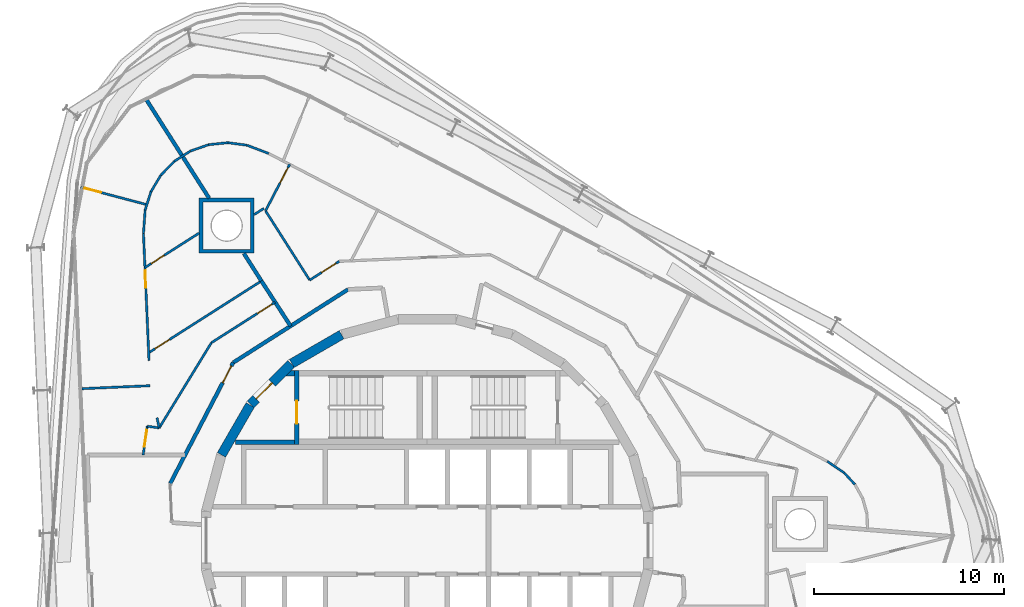
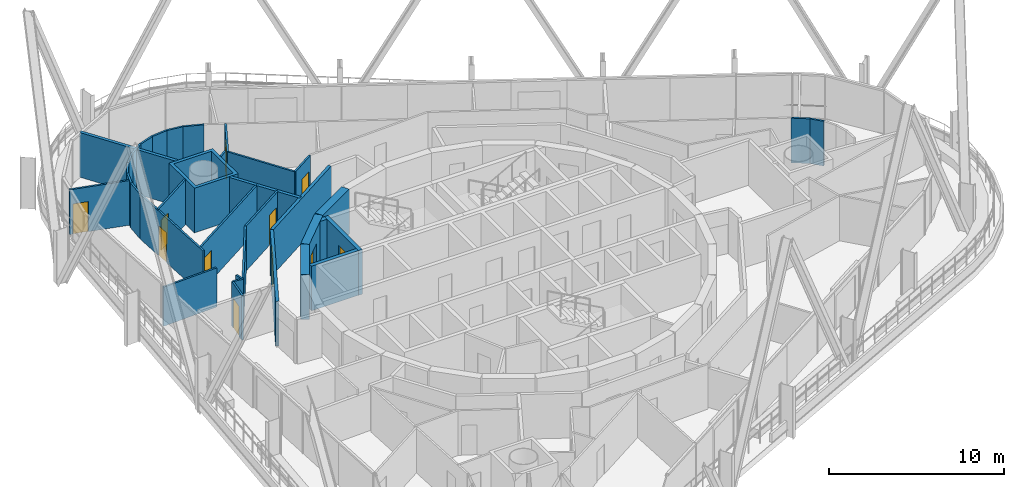
# One storey, part 15 of 20: 37 walls, 11 doors, 11 openings.
"""IFC4 building model written with IfcOpenShell, lengths in metres."""

from ifc_helpers import new_model, si_unit, direction, frame, frame_2d, origin, place, context, subcontext, project, spatial, polyline, rectangle, outline, extrude, material, layer, layer_set, type_object, element, fill, save


model = new_model("IFC4")

# Units and contexts
model_context = context("Model", 3, precision=1e-05, world=origin(), true_north=direction((0.0, 1.0)))
body_context = subcontext(model_context, "Body", "Model", "MODEL_VIEW")
ifc_project = project(units=[si_unit("LENGTHUNIT", "METRE"), si_unit("AREAUNIT", "SQUARE_METRE"), si_unit("VOLUMEUNIT", "CUBIC_METRE"), si_unit("PLANEANGLEUNIT", "RADIAN"), si_unit("MASSUNIT", "GRAM", prefix="KILO")], contexts=[model_context])

# Site, building, storey
site_placement = place(None, origin())
site = spatial("IfcSite", under=ifc_project, at=site_placement, CompositionType="ELEMENT")
building_placement = place(site_placement, origin())
building = spatial("IfcBuilding", under=site, at=building_placement, Name="Spindle Arch Residences", CompositionType="ELEMENT")
storey_placement = place(building_placement, frame((0.0, 0.0, 226.699951171875)))
storey = spatial("IfcBuildingStorey", under=building, at=storey_placement, Name="L57", CompositionType="ELEMENT", Elevation=226.699951171875)

# Wall
ifc_material_1 = material(Name="Concrete C50/60", Category="concrete")
ifc_layer_1 = layer(ifc_material_1, 0.5)
ifc_layer_set_1 = layer_set([ifc_layer_1], Name="Core outline wall 500")
wall_type_1 = type_object("IfcWallType", Name="Core outline wall 500", PredefinedType="SHEAR", material=ifc_layer_set_1)
wall_1_placement = place(storey_placement, frame((-4.510498046875, 10.84521484375, 0.0), z_axis=(0.0, 0.0, 1.0), x_axis=(-0.865975092491, -0.500087131594, 0.0)))
element("IfcWall", 1, at=wall_1_placement, inside=storey, type_object=wall_type_1, Name="Core outline wall 14", PredefinedType="SHEAR", context=body_context, shape_type="SweptSolid", body=[
    extrude(rectangle(XDim=3.03271484375, YDim=0.5, at=frame_2d((1.516357421875, 0.0))), origin(), (0.0, 0.0, 1.0), 3.1201171875),
])

# Wall, opening, door
wall_2_placement = place(storey_placement, frame((-7.163818359375, 9.30810546875, 0.0), z_axis=(0.0, 0.0, 1.0), x_axis=(-0.707106781187, -0.707106781187, 0.0)))
wall_2 = element("IfcWall", 2, at=wall_2_placement, inside=storey, type_object=wall_type_1, Name="Core outline wall 15", PredefinedType="SHEAR", context=body_context, shape_type="SweptSolid", body=[
    extrude(rectangle(XDim=3.032470703125, YDim=0.5, at=frame_2d((1.51611328125, 0.0))), origin(), (0.0, 0.0, 1.0), 3.1201171875),
])
opening_1_placement = place(wall_2_placement, frame((1.416259765625, 0.0, 0.0)))
opening_1 = element("IfcOpeningElement", 3, at=opening_1_placement, cuts=wall_2, Name="Opening R6A0-AD02", PredefinedType="OPENING", context=body_context, shape_type="SweptSolid", body=[
    extrude(rectangle(XDim=1.199951171875, YDim=2.10009765625, at=frame_2d((0.60009765625, 1.050048828125))), frame((0.0, 0.260009765625, 0.0), z_axis=(0.0, -1.0, 0.0), x_axis=(1.0, 0.0, 0.0)), (0.0, 0.0, 1.0), 0.52001953125),
])
ifc_material_2 = material(Name="Steel, fire-resisting door", Category="steel")
door_type_1 = type_object("IfcDoorType", Name="Stair airlock door 1200x2100", OperationType="SINGLE_SWING_LEFT", PredefinedType="DOOR", material=ifc_material_2)
door_1_placement = place(opening_1_placement, origin())
door_1 = element("IfcDoor", 4, at=door_1_placement, inside=storey, type_object=door_type_1, Name="Stair airlock door R6A0-AD02", OperationType="SINGLE_SWING_RIGHT", OverallHeight=2.10009765625, OverallWidth=1.199951171875, PredefinedType="DOOR", context=body_context, shape_type="SweptSolid", body=[
    extrude(rectangle(XDim=1.199951171875, YDim=2.10009765625, at=frame_2d((0.60009765625, 1.050048828125))), frame((0.0, 0.02490234375, 0.0), z_axis=(0.0, -1.0, 0.0), x_axis=(1.0, 0.0, 0.0)), (0.0, 0.0, 1.0), 0.050048828125),
])
fill(opening_1, door_1)

# Walls
wall_3_placement = place(storey_placement, frame((-9.32861328125, 7.13671875, 0.0), z_axis=(0.0, 0.0, 1.0), x_axis=(-0.500087131594, -0.865975092491, 0.0)))
element("IfcWall", 5, at=wall_3_placement, inside=storey, type_object=wall_type_1, Name="Core outline wall 16", PredefinedType="SHEAR", context=body_context, shape_type="SweptSolid", body=[
    extrude(rectangle(XDim=3.03271484375, YDim=0.5, at=frame_2d((1.516357421875, 0.0))), origin(), (0.0, 0.0, 1.0), 3.1201171875),
])
ifc_material_3 = material(Name="Calcium silicate block, plastered")
ifc_layer_2 = layer(ifc_material_3, 0.199951171875)
ifc_layer_set_2 = layer_set([ifc_layer_2], Name="Corridor wall 200")
wall_type_2 = type_object("IfcWallType", Name="Corridor wall 200", PredefinedType="STANDARD", material=ifc_layer_set_2)
wall_4_placement = place(storey_placement, frame((-4.171630859375, 13.230712890625, 0.0), z_axis=(0.0, 0.0, 1.0), x_axis=(-0.843388394728, -0.537304397561, 0.0)))
element("IfcWall", 6, at=wall_4_placement, inside=storey, type_object=wall_type_2, Name="Corridor wall R6A0-W012", PredefinedType="STANDARD", context=body_context, shape_type="SweptSolid", body=[
    extrude(rectangle(XDim=7.180908203125, YDim=0.199951171875, at=frame_2d((3.59033203125, 0.0))), origin(), (0.0, 0.0, 1.0), 3.1201171875),
])
ifc_material_4 = material(Name="Plasterboard on steel studs", Category="steel")
ifc_layer_3 = layer(ifc_material_4, 0.1201171875)
ifc_layer_set_3 = layer_set([ifc_layer_3], Name="Flat partition 120")
wall_type_3 = type_object("IfcWallType", Name="Flat partition 120", PredefinedType="PARTITIONING", material=ifc_layer_set_3)
wall_5_placement = place(storey_placement, frame((21.085205078125, 4.16943359375, 0.0), z_axis=(0.0, 0.0, 1.0), x_axis=(0.827390024541, -0.561627765776, 0.0)))
element("IfcWall", 7, at=wall_5_placement, inside=storey, type_object=wall_type_3, Name="Flat partition R6A0-W044", PredefinedType="PARTITIONING", context=body_context, shape_type="SweptSolid", body=[
    extrude(rectangle(XDim=1.086669921875, YDim=0.1201171875, at=frame_2d((0.54345703125, 0.0))), origin(), (0.0, 0.0, 1.0), 3.1201171875),
])
wall_6_placement = place(storey_placement, frame((21.984375, 3.55908203125, 0.0), z_axis=(0.0, 0.0, 1.0), x_axis=(0.675497816835, -0.737361986715, 0.0)))
element("IfcWall", 8, at=wall_6_placement, inside=storey, type_object=wall_type_3, Name="Flat partition R6A0-W045", PredefinedType="PARTITIONING", context=body_context, shape_type="SweptSolid", body=[
    extrude(rectangle(XDim=0.828857421875, YDim=0.1201171875, at=frame_2d((0.41455078125, 0.0))), origin(), (0.0, 0.0, 1.0), 3.1201171875),
])

# Wall, opening, door
wall_7_placement = place(storey_placement, frame((-4.638671875, 14.711669921875, 0.0), z_axis=(0.0, 0.0, 1.0), x_axis=(-0.843361471414, -0.537346655833, 0.0)))
wall_7 = element("IfcWall", 9, at=wall_7_placement, inside=storey, type_object=wall_type_3, Name="Flat partition R6A0-W056", PredefinedType="PARTITIONING", context=body_context, shape_type="SweptSolid", body=[
    extrude(rectangle(XDim=1.84375, YDim=0.1201171875, at=frame_2d((0.921875, 0.0))), origin(), (0.0, 0.0, 1.0), 3.1201171875),
])
opening_2_placement = place(wall_7_placement, frame((0.199951171875, 0.0, 0.0)))
opening_2 = element("IfcOpeningElement", 10, at=opening_2_placement, cuts=wall_7, Name="Opening R6A0-ID06", PredefinedType="OPENING", context=body_context, shape_type="SweptSolid", body=[
    extrude(rectangle(XDim=0.89990234375, YDim=2.10009765625, at=frame_2d((0.449951171875, 1.050048828125))), frame((0.0, 0.070068359375, 0.0), z_axis=(0.0, -1.0, 0.0), x_axis=(1.0, 0.0, 0.0)), (0.0, 0.0, 1.0), 0.14013671875),
])
ifc_material_5 = material(Name="Timber door set", Category="wood")
door_type_2 = type_object("IfcDoorType", Name="Room door 900x2100", OperationType="NOTDEFINED", PredefinedType="DOOR", material=ifc_material_5)
door_2_placement = place(opening_2_placement, origin())
door_2 = element("IfcDoor", 11, at=door_2_placement, inside=storey, type_object=door_type_2, Name="Room door R6A0-ID06", OperationType="SINGLE_SWING_RIGHT", OverallHeight=2.10009765625, OverallWidth=0.89990234375, PredefinedType="DOOR", context=body_context, shape_type="SweptSolid", body=[
    extrude(rectangle(XDim=0.89990234375, YDim=2.10009765625, at=frame_2d((0.449951171875, 1.050048828125))), frame((0.0, 0.02490234375, 0.0), z_axis=(0.0, -1.0, 0.0), x_axis=(1.0, 0.0, 0.0)), (0.0, 0.0, 1.0), 0.050048828125),
])
fill(opening_2, door_2)

# Walls
wall_8_placement = place(storey_placement, frame((-6.193603515625, 13.720947265625, 0.0), z_axis=(0.0, 0.0, 1.0), x_axis=(-0.537316807294, 0.843380488629, 0.0)))
element("IfcWall", 12, at=wall_8_placement, inside=storey, type_object=wall_type_3, Name="Flat partition R6A0-W057", PredefinedType="PARTITIONING", context=body_context, shape_type="SweptSolid", body=[
    extrude(rectangle(XDim=4.33056640625, YDim=0.1201171875, at=frame_2d((2.165283203125, 0.0))), origin(), (0.0, 0.0, 1.0), 3.1201171875),
])
wall_9_placement = place(storey_placement, frame((-8.603515625, 17.50390625, 0.0), z_axis=(0.0, 0.0, 1.0), x_axis=(-0.843265746233, -0.537496866251, 0.0)))
element("IfcWall", 13, at=wall_9_placement, inside=storey, type_object=wall_type_3, Name="Flat partition R6A0-W058", PredefinedType="PARTITIONING", context=body_context, shape_type="SweptSolid", body=[
    extrude(rectangle(XDim=0.610107421875, YDim=0.1201171875, at=frame_2d((0.30517578125, 0.0))), origin(), (0.0, 0.0, 1.0), 3.1201171875),
])

# Wall, opening, door
wall_10_placement = place(storey_placement, frame((-7.246826171875, 19.820068359375, 0.0), z_axis=(0.0, 0.0, 1.0), x_axis=(-0.46174004932, -0.887015291218, 0.0)))
wall_10 = element("IfcWall", 14, at=wall_10_placement, inside=storey, type_object=wall_type_3, Name="Flat partition R6A0-W063", PredefinedType="PARTITIONING", context=body_context, shape_type="SweptSolid", body=[
    extrude(rectangle(XDim=2.758544921875, YDim=0.1201171875, at=frame_2d((1.37939453125, 0.0))), origin(), (0.0, 0.0, 1.0), 3.1201171875),
])
opening_3_placement = place(wall_10_placement, frame((0.199951171875, 0.0, 0.0)))
opening_3 = element("IfcOpeningElement", 15, at=opening_3_placement, cuts=wall_10, Name="Opening R6A0-ID07", PredefinedType="OPENING", context=body_context, shape_type="SweptSolid", body=[
    extrude(rectangle(XDim=0.89990234375, YDim=2.10009765625, at=frame_2d((0.449951171875, 1.050048828125))), frame((0.0, 0.070068359375, 0.0), z_axis=(0.0, -1.0, 0.0), x_axis=(1.0, 0.0, 0.0)), (0.0, 0.0, 1.0), 0.14013671875),
])
door_3_placement = place(opening_3_placement, origin())
door_3 = element("IfcDoor", 16, at=door_3_placement, inside=storey, type_object=door_type_2, Name="Room door R6A0-ID07", OperationType="SINGLE_SWING_RIGHT", OverallHeight=2.10009765625, OverallWidth=0.89990234375, PredefinedType="DOOR", context=body_context, shape_type="SweptSolid", body=[
    extrude(rectangle(XDim=0.89990234375, YDim=2.10009765625, at=frame_2d((0.449951171875, 1.050048828125))), frame((0.0, 0.02490234375, 0.0), z_axis=(0.0, -1.0, 0.0), x_axis=(1.0, 0.0, 0.0)), (0.0, 0.0, 1.0), 0.050048828125),
])
fill(opening_3, door_3)

# Walls
for number, where, z_axis, x_axis, name in (
    (17, (-13.33154296875, 19.980712890625, 0.0), (0.0, 0.0, 1.0), (0.843404143432, 0.537279676557, 0.0), "Flat partition R6A0-W064"),
    (18, (-12.474609375, 20.526611328125, 0.0), (0.0, 0.0, 1.0), (0.944594007355, 0.32824101095, 0.0), "Flat partition R6A0-W065"),
):
    element("IfcWall", number, at=place(storey_placement, frame(where, z_axis=z_axis, x_axis=x_axis)), inside=storey, type_object=wall_type_3, Name=name, PredefinedType="PARTITIONING", context=body_context, shape_type="SweptSolid", body=[
        extrude(rectangle(XDim=1.01611328125, YDim=0.1201171875, at=frame_2d((0.508056640625, 0.0))), origin(), (0.0, 0.0, 1.0), 3.1201171875),
    ])
wall_11_placement = place(storey_placement, frame((-11.514892578125, 20.860107421875, 0.0), z_axis=(0.0, 0.0, 1.0), x_axis=(0.994818278641, 0.101669034034, 0.0)))
element("IfcWall", 19, at=wall_11_placement, inside=storey, type_object=wall_type_3, Name="Flat partition R6A0-W066", PredefinedType="PARTITIONING", context=body_context, shape_type="SweptSolid", body=[
    extrude(rectangle(XDim=1.015869140625, YDim=0.1201171875, at=frame_2d((0.5078125, 0.0))), origin(), (0.0, 0.0, 1.0), 3.1201171875),
])
wall_12_placement = place(storey_placement, frame((-10.50439453125, 20.96337890625, 0.0), z_axis=(0.0, 0.0, 1.0), x_axis=(0.991451023706, -0.13047937612, 0.0)))
element("IfcWall", 20, at=wall_12_placement, inside=storey, type_object=wall_type_3, Name="Flat partition R6A0-W067", PredefinedType="PARTITIONING", context=body_context, shape_type="SweptSolid", body=[
    extrude(rectangle(XDim=1.01611328125, YDim=0.1201171875, at=frame_2d((0.508056640625, 0.0))), origin(), (0.0, 0.0, 1.0), 3.1201171875),
])
wall_13_placement = place(storey_placement, frame((-9.4970703125, 20.830810546875, 0.0), z_axis=(0.0, 0.0, 1.0), x_axis=(0.934575963521, -0.355763641213, 0.0)))
element("IfcWall", 21, at=wall_13_placement, inside=storey, type_object=wall_type_3, Name="Flat partition R6A0-W068", PredefinedType="PARTITIONING", context=body_context, shape_type="SweptSolid", body=[
    extrude(rectangle(XDim=1.22705078125, YDim=0.1201171875, at=frame_2d((0.613525390625, 0.0))), origin(), (0.0, 0.0, 1.0), 3.1201171875),
])

# Wall, opening, door
wall_14_placement = place(storey_placement, frame((-8.0234375, 12.55517578125, 0.0), z_axis=(0.0, 0.0, 1.0), x_axis=(-0.843408270233, -0.537273198385, 0.0)))
wall_14 = element("IfcWall", 22, at=wall_14_placement, inside=storey, type_object=wall_type_3, Name="Flat partition R6A0-W069", PredefinedType="PARTITIONING", context=body_context, shape_type="SweptSolid", body=[
    extrude(rectangle(XDim=3.971435546875, YDim=0.1201171875, at=frame_2d((1.98583984375, 0.0))), origin(), (0.0, 0.0, 1.0), 3.1201171875),
])
opening_4_placement = place(wall_14_placement, frame((0.199951171875, 0.0, 0.0)))
opening_4 = element("IfcOpeningElement", 23, at=opening_4_placement, cuts=wall_14, Name="Opening R6A0-ID09", PredefinedType="OPENING", context=body_context, shape_type="SweptSolid", body=[
    extrude(rectangle(XDim=0.89990234375, YDim=2.10009765625, at=frame_2d((0.449951171875, 1.050048828125))), frame((0.0, 0.070068359375, 0.0), z_axis=(0.0, -1.0, 0.0), x_axis=(1.0, 0.0, 0.0)), (0.0, 0.0, 1.0), 0.14013671875),
])
door_4_placement = place(opening_4_placement, origin())
door_4 = element("IfcDoor", 24, at=door_4_placement, inside=storey, type_object=door_type_2, Name="Room door R6A0-ID09", OperationType="SINGLE_SWING_LEFT", OverallHeight=2.10009765625, OverallWidth=0.89990234375, PredefinedType="DOOR", context=body_context, shape_type="SweptSolid", body=[
    extrude(rectangle(XDim=0.89990234375, YDim=2.10009765625, at=frame_2d((0.449951171875, 1.050048828125))), frame((0.0, 0.02490234375, 0.0), z_axis=(0.0, -1.0, 0.0), x_axis=(1.0, 0.0, 0.0)), (0.0, 0.0, 1.0), 0.050048828125),
])
fill(opening_4, door_4)

# Walls
wall_15_placement = place(storey_placement, frame((-11.373046875, 10.42138671875, 0.0), z_axis=(0.0, 0.0, 1.0), x_axis=(-0.522435957358, -0.852678527031, 0.0)))
element("IfcWall", 25, at=wall_15_placement, inside=storey, type_object=wall_type_3, Name="Flat partition R6A0-W070", PredefinedType="PARTITIONING", context=body_context, shape_type="SweptSolid", body=[
    extrude(rectangle(XDim=5.2666015625, YDim=0.1201171875, at=frame_2d((2.63330078125, 0.0))), origin(), (0.0, 0.0, 1.0), 3.1201171875),
])
wall_16_placement = place(storey_placement, frame((-14.12451171875, 5.9306640625, 0.0), z_axis=(0.0, 0.0, 1.0), x_axis=(-0.989621518838, 0.143698467119, 0.0)))
element("IfcWall", 26, at=wall_16_placement, inside=storey, type_object=wall_type_3, Name="Flat partition R6A0-W071", PredefinedType="PARTITIONING", context=body_context, shape_type="SweptSolid", body=[
    extrude(rectangle(XDim=0.63037109375, YDim=0.1201171875, at=frame_2d((0.315185546875, 0.0))), origin(), (0.0, 0.0, 1.0), 3.1201171875),
])

# Wall, opening, door
wall_17_placement = place(storey_placement, frame((-14.748291015625, 6.021240234375, 0.0), z_axis=(0.0, 0.0, 1.0), x_axis=(-0.143888945672, -0.98959384159, 0.0)))
wall_17 = element("IfcWall", 27, at=wall_17_placement, inside=storey, type_object=wall_type_3, Name="Flat partition R6A0-W072", PredefinedType="PARTITIONING", context=body_context, shape_type="SweptSolid", body=[
    extrude(rectangle(XDim=1.537353515625, YDim=0.1201171875, at=frame_2d((0.7685546875, 0.0))), origin(), (0.0, 0.0, 1.0), 3.1201171875),
])
opening_5_placement = place(wall_17_placement, frame((0.199951171875, 0.0, 0.0)))
opening_5 = element("IfcOpeningElement", 28, at=opening_5_placement, cuts=wall_17, Name="Opening R6A0-ID10", PredefinedType="OPENING", context=body_context, shape_type="SweptSolid", body=[
    extrude(rectangle(XDim=0.89990234375, YDim=2.10009765625, at=frame_2d((0.449951171875, 1.050048828125))), frame((0.0, 0.070068359375, 0.0), z_axis=(0.0, -1.0, 0.0), x_axis=(1.0, 0.0, 0.0)), (0.0, 0.0, 1.0), 0.14013671875),
])
door_5_placement = place(opening_5_placement, origin())
door_5 = element("IfcDoor", 29, at=door_5_placement, inside=storey, type_object=door_type_2, Name="Room door R6A0-ID10", OperationType="SINGLE_SWING_LEFT", OverallHeight=2.10009765625, OverallWidth=0.89990234375, PredefinedType="DOOR", context=body_context, shape_type="SweptSolid", body=[
    extrude(rectangle(XDim=0.89990234375, YDim=2.10009765625, at=frame_2d((0.449951171875, 1.050048828125))), frame((0.0, 0.02490234375, 0.0), z_axis=(0.0, -1.0, 0.0), x_axis=(1.0, 0.0, 0.0)), (0.0, 0.0, 1.0), 0.050048828125),
])
fill(opening_5, door_5)

# Walls
for number, where, z_axis, x_axis, name in (
    (30, (-14.865478515625, 17.410888671875, 0.0), (0.0, 0.0, 1.0), (0.300682714382, 0.953724229152, 0.0), "Flat partition R6A0-W073"),
    (31, (-14.56005859375, 18.379638671875, 0.0), (0.0, 0.0, 1.0), (0.512586118981, 0.858635819558, 0.0), "Flat partition R6A0-W074"),
    (32, (-14.039306640625, 19.251953125, 0.0), (0.0, 0.0, 1.0), (0.69669736192, 0.717365169138, 0.0), "Flat partition R6A0-W075"),
):
    element("IfcWall", number, at=place(storey_placement, frame(where, z_axis=z_axis, x_axis=x_axis)), inside=storey, type_object=wall_type_3, Name=name, PredefinedType="PARTITIONING", context=body_context, shape_type="SweptSolid", body=[
        extrude(rectangle(XDim=1.015869140625, YDim=0.1201171875, at=frame_2d((0.5078125, 0.0))), origin(), (0.0, 0.0, 1.0), 3.1201171875),
    ])

# Wall, opening, door
wall_18_placement = place(storey_placement, frame((-18.259521484375, 18.6181640625, 0.0), z_axis=(0.0, 0.0, 1.0), x_axis=(0.96689176932, -0.25518680691, 0.0)))
wall_18 = element("IfcWall", 33, at=wall_18_placement, inside=storey, type_object=wall_type_3, Name="Flat partition R6A0-W076", PredefinedType="PARTITIONING", context=body_context, shape_type="SweptSolid", body=[
    extrude(rectangle(XDim=3.60400390625, YDim=0.1201171875, at=frame_2d((1.802001953125, 0.0))), origin(), (0.0, 0.0, 1.0), 3.1201171875),
])
opening_6_placement = place(wall_18_placement, frame((0.199951171875, 0.0, 0.0)))
opening_6 = element("IfcOpeningElement", 34, at=opening_6_placement, cuts=wall_18, Name="Opening R6A0-ID13", PredefinedType="OPENING", context=body_context, shape_type="SweptSolid", body=[
    extrude(rectangle(XDim=0.89990234375, YDim=2.10009765625, at=frame_2d((0.449951171875, 1.050048828125))), frame((0.0, 0.070068359375, 0.0), z_axis=(0.0, -1.0, 0.0), x_axis=(1.0, 0.0, 0.0)), (0.0, 0.0, 1.0), 0.14013671875),
])
door_6_placement = place(opening_6_placement, origin())
door_6 = element("IfcDoor", 35, at=door_6_placement, inside=storey, type_object=door_type_2, Name="Room door R6A0-ID13", OperationType="SINGLE_SWING_LEFT", OverallHeight=2.10009765625, OverallWidth=0.89990234375, PredefinedType="DOOR", context=body_context, shape_type="SweptSolid", body=[
    extrude(rectangle(XDim=0.89990234375, YDim=2.10009765625, at=frame_2d((0.449951171875, 1.050048828125))), frame((0.0, 0.02490234375, 0.0), z_axis=(0.0, -1.0, 0.0), x_axis=(1.0, 0.0, 0.0)), (0.0, 0.0, 1.0), 0.050048828125),
])
fill(opening_6, door_6)

wall_19_placement = place(storey_placement, frame((-14.8759765625, 14.381591796875, 0.0), z_axis=(0.0, 0.0, 1.0), x_axis=(0.843409222082, 0.537271704175, 0.0)))
wall_19 = element("IfcWall", 36, at=wall_19_placement, inside=storey, type_object=wall_type_3, Name="Flat partition R6A0-W077", PredefinedType="PARTITIONING", context=body_context, shape_type="SweptSolid", body=[
    extrude(rectangle(XDim=3.388427734375, YDim=0.1201171875, at=frame_2d((1.6943359375, 0.0))), origin(), (0.0, 0.0, 1.0), 3.1201171875),
])
opening_7_placement = place(wall_19_placement, frame((0.39990234375, 0.0, 0.0)))
opening_7 = element("IfcOpeningElement", 37, at=opening_7_placement, cuts=wall_19, Name="Opening R6A0-BD03", PredefinedType="OPENING", context=body_context, shape_type="SweptSolid", body=[
    extrude(rectangle(XDim=0.800048828125, YDim=2.10009765625, at=frame_2d((0.39990234375, 1.050048828125))), frame((0.0, 0.070068359375, 0.0), z_axis=(0.0, -1.0, 0.0), x_axis=(1.0, 0.0, 0.0)), (0.0, 0.0, 1.0), 0.14013671875),
])
ifc_material_6 = material(Name="Timber door set", Category="wood")
door_type_3 = type_object("IfcDoorType", Name="Bathroom door 800x2100", OperationType="NOTDEFINED", PredefinedType="DOOR", material=ifc_material_6)
door_7_placement = place(opening_7_placement, origin())
door_7 = element("IfcDoor", 38, at=door_7_placement, inside=storey, type_object=door_type_3, Name="Bathroom door R6A0-BD03", OperationType="SINGLE_SWING_LEFT", OverallHeight=2.10009765625, OverallWidth=0.800048828125, PredefinedType="DOOR", context=body_context, shape_type="SweptSolid", body=[
    extrude(rectangle(XDim=0.800048828125, YDim=2.10009765625, at=frame_2d((0.39990234375, 1.050048828125))), frame((0.0, 0.02490234375, 0.0), z_axis=(0.0, -1.0, 0.0), x_axis=(1.0, 0.0, 0.0)), (0.0, 0.0, 1.0), 0.050048828125),
])
fill(opening_7, door_7)

# Wall
wall_20_placement = place(storey_placement, frame((-14.865478515625, 17.410888671875, 0.0), z_axis=(0.0, 0.0, 1.0), x_axis=(-0.072618457011, -0.997359794508, 0.0)))
element("IfcWall", 39, at=wall_20_placement, inside=storey, type_object=wall_type_3, Name="Flat partition R6A0-W078", PredefinedType="PARTITIONING", context=body_context, shape_type="SweptSolid", body=[
    extrude(rectangle(XDim=1.22705078125, YDim=0.1201171875, at=frame_2d((0.613525390625, 0.0))), origin(), (0.0, 0.0, 1.0), 3.1201171875),
])

# Wall, opening, door
wall_21_placement = place(storey_placement, frame((-14.95458984375, 16.18701171875, 0.0), z_axis=(0.0, 0.0, 1.0), x_axis=(0.043591713888, -0.999049429448, 0.0)))
wall_21 = element("IfcWall", 40, at=wall_21_placement, inside=storey, type_object=wall_type_3, Name="Flat partition R6A0-W079", PredefinedType="PARTITIONING", context=body_context, shape_type="SweptSolid", body=[
    extrude(rectangle(XDim=6.720703125, YDim=0.1201171875, at=frame_2d((3.3603515625, 0.0))), origin(), (0.0, 0.0, 1.0), 3.1201171875),
])
opening_8_placement = place(wall_21_placement, frame((1.9609375, 0.0, 0.0)))
opening_8 = element("IfcOpeningElement", 41, at=opening_8_placement, cuts=wall_21, Name="Opening R6A0-ID12", PredefinedType="OPENING", context=body_context, shape_type="SweptSolid", body=[
    extrude(rectangle(XDim=0.89990234375, YDim=2.10009765625, at=frame_2d((0.449951171875, 1.050048828125))), frame((0.0, 0.070068359375, 0.0), z_axis=(0.0, -1.0, 0.0), x_axis=(1.0, 0.0, 0.0)), (0.0, 0.0, 1.0), 0.14013671875),
])
door_8_placement = place(opening_8_placement, origin())
door_8 = element("IfcDoor", 42, at=door_8_placement, inside=storey, type_object=door_type_2, Name="Room door R6A0-ID12", OperationType="SINGLE_SWING_LEFT", OverallHeight=2.10009765625, OverallWidth=0.89990234375, PredefinedType="DOOR", context=body_context, shape_type="SweptSolid", body=[
    extrude(rectangle(XDim=0.89990234375, YDim=2.10009765625, at=frame_2d((0.449951171875, 1.050048828125))), frame((0.0, 0.02490234375, 0.0), z_axis=(0.0, -1.0, 0.0), x_axis=(1.0, 0.0, 0.0)), (0.0, 0.0, 1.0), 0.050048828125),
])
fill(opening_8, door_8)

wall_22_placement = place(storey_placement, frame((-14.6796875, 9.89111328125, 0.0), z_axis=(0.0, 0.0, 1.0), x_axis=(0.843391697183, 0.537299213774, 0.0)))
wall_22 = element("IfcWall", 43, at=wall_22_placement, inside=storey, type_object=wall_type_3, Name="Flat partition R6A0-W080", PredefinedType="PARTITIONING", context=body_context, shape_type="SweptSolid", body=[
    extrude(rectangle(XDim=7.045166015625, YDim=0.1201171875, at=frame_2d((3.5224609375, 0.0))), origin(), (0.0, 0.0, 1.0), 3.1201171875),
])
opening_9_placement = place(wall_22_placement, frame((0.39990234375, 0.0, 0.0)))
opening_9 = element("IfcOpeningElement", 44, at=opening_9_placement, cuts=wall_22, Name="Opening R6A0-ID11", PredefinedType="OPENING", context=body_context, shape_type="SweptSolid", body=[
    extrude(rectangle(XDim=0.89990234375, YDim=2.10009765625, at=frame_2d((0.449951171875, 1.050048828125))), frame((0.0, 0.070068359375, 0.0), z_axis=(0.0, -1.0, 0.0), x_axis=(1.0, 0.0, 0.0)), (0.0, 0.0, 1.0), 0.14013671875),
])
door_9_placement = place(opening_9_placement, origin())
door_9 = element("IfcDoor", 45, at=door_9_placement, inside=storey, type_object=door_type_2, Name="Room door R6A0-ID11", OperationType="SINGLE_SWING_LEFT", OverallHeight=2.10009765625, OverallWidth=0.89990234375, PredefinedType="DOOR", context=body_context, shape_type="SweptSolid", body=[
    extrude(rectangle(XDim=0.89990234375, YDim=2.10009765625, at=frame_2d((0.449951171875, 1.050048828125))), frame((0.0, 0.02490234375, 0.0), z_axis=(0.0, -1.0, 0.0), x_axis=(1.0, 0.0, 0.0)), (0.0, 0.0, 1.0), 0.050048828125),
])
fill(opening_9, door_9)

# Walls
wall_23_placement = place(storey_placement, frame((-14.240234375, 6.467041015625, 0.0), z_axis=(0.0, 0.0, 1.0), x_axis=(0.210896225868, -0.977508456186, 0.0)))
element("IfcWall", 46, at=wall_23_placement, inside=storey, type_object=wall_type_3, Name="Flat partition R6A0-W081", PredefinedType="PARTITIONING", context=body_context, shape_type="SweptSolid", body=[
    extrude(rectangle(XDim=0.548828125, YDim=0.1201171875, at=frame_2d((0.2744140625, 0.0))), origin(), (0.0, 0.0, 1.0), 3.1201171875),
])
ifc_material_7 = material(Name="Plasterboard on steel studs", Category="steel")
ifc_layer_4 = layer(ifc_material_7, 0.1201171875)
ifc_layer_set_4 = layer_set([ifc_layer_4], Name="Flat partition 120 under beam 2730")
wall_type_4 = type_object("IfcWallType", Name="Flat partition 120 under beam 2730", PredefinedType="PARTITIONING", material=ifc_layer_set_4)
wall_24_placement = place(storey_placement, frame((-18.20068359375, 7.998779296875, 0.0), z_axis=(0.0, 0.0, 1.0), x_axis=(0.999048850974, 0.043604969534, 0.0)))
element("IfcWall", 47, at=wall_24_placement, inside=storey, type_object=wall_type_4, Name="Flat partition R6A0-W082", PredefinedType="PARTITIONING", context=body_context, shape_type="SweptSolid", body=[
    extrude(rectangle(XDim=3.60009765625, YDim=0.1201171875, at=frame_2d((1.800048828125, 0.0))), origin(), (0.0, 0.0, 1.0), 2.72998046875),
])
ifc_material_8 = material(Name="Calcium silicate block, plastered")
ifc_layer_5 = layer(ifc_material_8, 0.199951171875)
ifc_layer_set_5 = layer_set([ifc_layer_5], Name="Flat party wall 200")
wall_type_5 = type_object("IfcWallType", Name="Flat party wall 200", PredefinedType="STANDARD", material=ifc_layer_set_5)
wall_25_placement = place(storey_placement, frame((-8.73779296875, 13.676513671875, 0.0), z_axis=(0.0, 0.0, 1.0), x_axis=(0.54358037296, -0.839357121929, 0.0)))
element("IfcWall", 48, at=wall_25_placement, inside=storey, type_object=wall_type_5, Name="Flat party wall R6A0-W032", PredefinedType="STANDARD", context=body_context, shape_type="SweptSolid", body=[
    extrude(rectangle(XDim=2.82958984375, YDim=0.199951171875, at=frame_2d((1.414794921875, 0.0))), origin(), (0.0, 0.0, 1.0), 3.1201171875),
])
wall_26_placement = place(storey_placement, frame((-9.662841796875, 15.12890625, 0.0), z_axis=(0.0, 0.0, 1.0), x_axis=(0.537205715853, -0.843451254581, 0.0)))
element("IfcWall", 49, at=wall_26_placement, inside=storey, type_object=wall_type_5, Name="Flat party wall R6A0-W033", PredefinedType="STANDARD", context=body_context, shape_type="SweptSolid", body=[
    extrude(rectangle(XDim=1.721923828125, YDim=0.199951171875, at=frame_2d((0.86083984375, 0.0))), origin(), (0.0, 0.0, 1.0), 3.1201171875),
])
wall_27_placement = place(storey_placement, frame((-14.83740234375, 23.289794921875, 0.0), z_axis=(0.0, 0.0, 1.0), x_axis=(0.537316863221, -0.843380452998, 0.0)))
element("IfcWall", 50, at=wall_27_placement, inside=storey, type_object=wall_type_5, Name="Flat party wall R6A0-W034", PredefinedType="STANDARD", context=body_context, shape_type="SweptSolid", body=[
    extrude(rectangle(XDim=6.226806640625, YDim=0.199951171875, at=frame_2d((3.11328125, 0.0))), origin(), (0.0, 0.0, 1.0), 3.1201171875),
])

# Wall, opening, door
ifc_material_9 = material(Name="Calcium silicate block, plastered")
ifc_layer_6 = layer(ifc_material_9, 0.199951171875)
ifc_layer_set_6 = layer_set([ifc_layer_6], Name="Lift lobby bay wall 200")
wall_type_6 = type_object("IfcWallType", Name="Lift lobby bay wall 200", PredefinedType="STANDARD", material=ifc_layer_set_6)
wall_28_placement = place(storey_placement, frame((-10.22802734375, 9.372314453125, 0.0), z_axis=(0.0, 0.0, 1.0), x_axis=(-0.461759464021, -0.887005184532, 0.0)))
wall_28 = element("IfcWall", 51, at=wall_28_placement, inside=storey, type_object=wall_type_6, Name="Lift lobby bay wall R6A0-W007", PredefinedType="STANDARD", context=body_context, shape_type="SweptSolid", body=[
    extrude(rectangle(XDim=7.18115234375, YDim=0.199951171875, at=frame_2d((3.590576171875, 0.0))), origin(), (0.0, 0.0, 1.0), 3.1201171875),
])
opening_10_placement = place(wall_28_placement, frame((0.199951171875, 0.0, 0.0)))
opening_10 = element("IfcOpeningElement", 52, at=opening_10_placement, cuts=wall_28, Name="Opening R6A0-FD03", PredefinedType="OPENING", context=body_context, shape_type="SweptSolid", body=[
    extrude(rectangle(XDim=1.0, YDim=2.10009765625, at=frame_2d((0.5, 1.050048828125))), frame((0.0, 0.10986328125, 0.0), z_axis=(0.0, -1.0, 0.0), x_axis=(1.0, 0.0, 0.0)), (0.0, 0.0, 1.0), 0.219970703125),
])
ifc_material_10 = material(Name="Timber, fire-resisting door set", Category="wood")
door_type_4 = type_object("IfcDoorType", Name="Flat entrance door 1000x2100", OperationType="NOTDEFINED", PredefinedType="DOOR", material=ifc_material_10)
door_10_placement = place(opening_10_placement, origin())
door_10 = element("IfcDoor", 53, at=door_10_placement, inside=storey, type_object=door_type_4, Name="Flat entrance door R6A0-FD03", OperationType="SINGLE_SWING_LEFT", OverallHeight=2.10009765625, OverallWidth=1.0, PredefinedType="DOOR", context=body_context, shape_type="SweptSolid", body=[
    extrude(rectangle(XDim=1.0, YDim=2.10009765625, at=frame_2d((0.5, 1.050048828125))), frame((0.0, 0.02490234375, 0.0), z_axis=(0.0, -1.0, 0.0), x_axis=(1.0, 0.0, 0.0)), (0.0, 0.0, 1.0), 0.050048828125),
])
fill(opening_10, door_10)

# Walls
ifc_material_11 = material(Name="Calcium silicate block, plastered")
ifc_layer_7 = layer(ifc_material_11, 0.199951171875)
ifc_layer_set_7 = layer_set([ifc_layer_7], Name="Mega-column casing wall 200")
wall_type_7 = type_object("IfcWallType", Name="Mega-column casing wall 200", PredefinedType="STANDARD", material=ifc_layer_set_7)
wall_29_placement = place(storey_placement, origin())
element("IfcWall", 54, at=wall_29_placement, inside=storey, type_object=wall_type_7, Name="Mega-column casing wall R6A0-WC02", PredefinedType="STANDARD", context=body_context, shape_type="SweptSolid", body=[
    extrude(outline(polyline([(-9.117919921875, 18.038330078125), (-9.117919921875, 15.138427734375), (-12.01806640625, 15.138427734375), (-12.01806640625, 18.038330078125), (-9.117919921875, 18.038330078125)]), holes=[polyline([(-11.818115234375, 15.33837890625), (-9.318115234375, 15.33837890625), (-9.318115234375, 17.83837890625), (-11.818115234375, 17.83837890625), (-11.818115234375, 15.33837890625)])]), origin(), (0.0, 0.0, 1.0), 3.1201171875),
])
ifc_material_12 = material(Name="Concrete C40/50", Category="concrete")
ifc_layer_8 = layer(ifc_material_12, 0.25)
ifc_layer_set_8 = layer_set([ifc_layer_8], Name="Stair airlock wall 250")
wall_type_8 = type_object("IfcWallType", Name="Stair airlock wall 250", PredefinedType="SHEAR", material=ifc_layer_set_8)
wall_30_placement = place(storey_placement, frame((-7.0, 5.175048828125, 0.0), z_axis=(0.0, 0.0, 1.0), x_axis=(-1.0, 0.0, 0.0)))
element("IfcWall", 55, at=wall_30_placement, inside=storey, type_object=wall_type_8, Name="Stair ST-2 airlock wall S", PredefinedType="SHEAR", context=body_context, shape_type="SweptSolid", body=[
    extrude(rectangle(XDim=3.10009765625, YDim=0.25, at=frame_2d((1.550048828125, 0.0))), origin(), (0.0, 0.0, 1.0), 3.1201171875),
])
ifc_material_13 = material(Name="Concrete C40/50", Category="concrete")
wall_type_9 = type_object("IfcWallType", Name="Stair airlock wall profile", PredefinedType="SHEAR", material=ifc_material_13)
wall_31_placement = place(storey_placement, origin())
element("IfcWall", 56, at=wall_31_placement, inside=storey, type_object=wall_type_9, Name="Stair ST-2 airlock wall N", PredefinedType="SHEAR", context=body_context, shape_type="SweptSolid", body=[
    extrude(outline(polyline([(-7.148193359375, 8.969970703125), (-7.0, 8.969970703125), (-7.0, 8.669921875), (-7.4482421875, 8.669921875), (-7.148193359375, 8.969970703125)])), origin(), (0.0, 0.0, 1.0), 3.1201171875),
])

# Wall, opening, door
ifc_material_14 = material(Name="Concrete C50/60", Category="concrete")
ifc_layer_9 = layer(ifc_material_14, 0.25)
ifc_layer_set_9 = layer_set([ifc_layer_9], Name="Stair enclosure wall 250")
wall_type_10 = type_object("IfcWallType", Name="Stair enclosure wall 250", PredefinedType="SHEAR", material=ifc_layer_set_9)
wall_32_placement = place(storey_placement, frame((-6.875, 8.969970703125, 0.0), z_axis=(0.0, 0.0, 1.0), x_axis=(0.0, -1.0, 0.0)))
wall_32 = element("IfcWall", 57, at=wall_32_placement, inside=storey, type_object=wall_type_10, Name="Stair ST-2 door wall", PredefinedType="SHEAR", context=body_context, shape_type="SweptSolid", body=[
    extrude(rectangle(XDim=3.919921875, YDim=0.25, at=frame_2d((1.9599609375, 0.0))), origin(), (0.0, 0.0, 1.0), 3.1201171875),
])
opening_11_placement = place(wall_32_placement, frame((1.610107421875, 0.0, 0.0)))
opening_11 = element("IfcOpeningElement", 58, at=opening_11_placement, cuts=wall_32, Name="Opening R6A0-SD02", PredefinedType="OPENING", context=body_context, shape_type="SweptSolid", body=[
    extrude(rectangle(XDim=1.199951171875, YDim=2.10009765625, at=frame_2d((0.60009765625, 1.050048828125))), frame((0.0, 0.135009765625, 0.0), z_axis=(0.0, -1.0, 0.0), x_axis=(1.0, 0.0, 0.0)), (0.0, 0.0, 1.0), 0.27001953125),
])
ifc_material_15 = material(Name="Steel, fire-resisting door", Category="steel")
door_type_5 = type_object("IfcDoorType", Name="Stair door 1200x2100", OperationType="SINGLE_SWING_RIGHT", PredefinedType="DOOR", material=ifc_material_15)
door_11_placement = place(opening_11_placement, origin())
door_11 = element("IfcDoor", 59, at=door_11_placement, inside=storey, type_object=door_type_5, Name="Stair door R6A0-SD02", OperationType="SINGLE_SWING_LEFT", OverallHeight=2.10009765625, OverallWidth=1.199951171875, PredefinedType="DOOR", context=body_context, shape_type="SweptSolid", body=[
    extrude(rectangle(XDim=1.199951171875, YDim=2.10009765625, at=frame_2d((0.60009765625, 1.050048828125))), frame((0.0, 0.02490234375, 0.0), z_axis=(0.0, -1.0, 0.0), x_axis=(1.0, 0.0, 0.0)), (0.0, 0.0, 1.0), 0.050048828125),
])
fill(opening_11, door_11)

save(model, "model.ifc")
